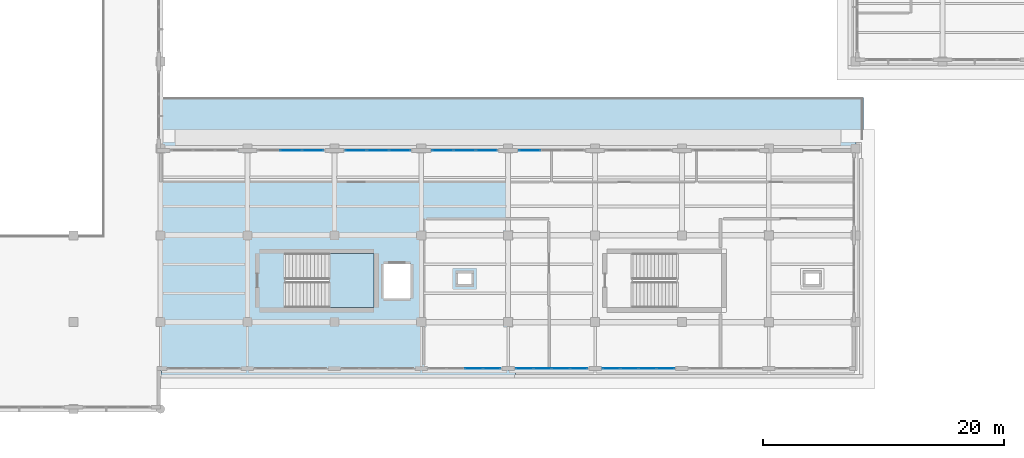
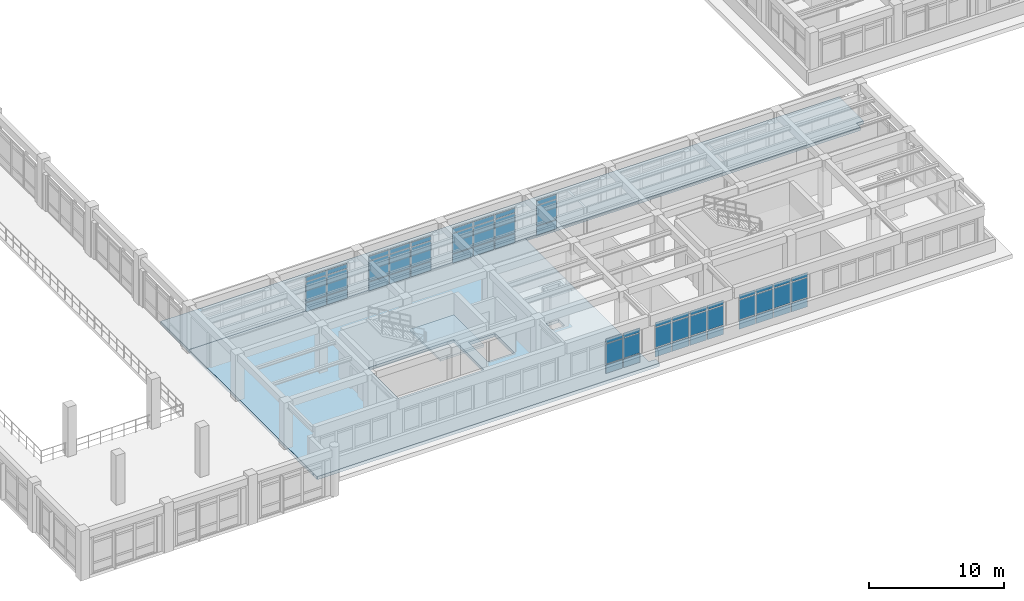
# One storey, part 34 of 64: 57 plates, 3 slabs, 8 elements without a shape of their own.
"""IFC4 building model written with IfcOpenShell, lengths in metres."""

from ifc_helpers import new_model, si_unit, direction, frame, origin, origin_2d, place, context, subcontext, project, spatial, polyline, rectangle, outline, extrude, material, layer, layer_set, type_object, element, aggregate, save


model = new_model("IFC4")

# Units and contexts
model_context = context("Model", 3, precision=1e-05, world=origin(), true_north=direction((0.0, 1.0)))
body_context = subcontext(model_context, "Body", "Model", "MODEL_VIEW")
ifc_project = project(units=[si_unit("LENGTHUNIT", "METRE"), si_unit("AREAUNIT", "SQUARE_METRE"), si_unit("VOLUMEUNIT", "CUBIC_METRE"), si_unit("PLANEANGLEUNIT", "RADIAN"), si_unit("MASSUNIT", "GRAM", prefix="KILO")], contexts=[model_context])

# Site, building, storey
site_placement = place(None, origin())
site = spatial("IfcSite", under=ifc_project, at=site_placement, CompositionType="ELEMENT")
building_placement = place(site_placement, origin())
building = spatial("IfcBuilding", under=site, at=building_placement, Name="Solenvale Faculty of Natural Sciences", CompositionType="ELEMENT")
storey_placement = place(building_placement, frame((0.0, 0.0, 18.0)))
storey = spatial("IfcBuildingStorey", under=building, at=storey_placement, Name="L04", CompositionType="ELEMENT", Elevation=18.0)

# Curtain wall, plates
ifc_material_1 = material(Name="Anodised bronze aluminium", Category="aluminium")
ifc_layer_1 = layer(ifc_material_1, 0.18994140625)
ifc_layer_set_1 = layer_set([ifc_layer_1], Name="Anodised bronze aluminium")
curtain_wall_type = type_object("IfcCurtainWallType", Name="CW-TRAY-REC", PredefinedType="USERDEFINED", material=ifc_layer_set_1)
curtain_wall_1_placement = place(storey_placement, origin())
curtain_wall_1 = element("IfcCurtainWall", 1, at=curtain_wall_1_placement, inside=storey, type_object=curtain_wall_type, Name="L04 Curtain Wall CW-L04-P1-E6-B5", ObjectType="UNITISED CURTAIN WALL", PredefinedType="USERDEFINED")
ifc_material_2 = material(Name="North-light skylight glass", Category="glass")
ifc_layer_2 = layer(ifc_material_2, 0.028076171875)
ifc_layer_set_2 = layer_set([ifc_layer_2], Name="North-light skylight glass")
plate_type_1 = type_object("IfcPlateType", Name="CWP-PNL-28", PredefinedType="CURTAIN_PANEL", material=ifc_layer_set_2)
plate_1_placement = place(storey_placement, frame((87.753662109375, 17.762451171875, 0.074951171875), z_axis=(0.0, 0.0, 1.0), x_axis=(1.0, 0.0, 0.0)))
plate_1 = element("IfcPlate", 2, at=plate_1_placement, type_object=plate_type_1, Name="CW-02 panel 1.1", PredefinedType="CURTAIN_PANEL", context=body_context, shape_type="SweptSolid", body=[
    extrude(rectangle(XDim=1.3974609375, YDim=0.028076171875, at=origin_2d()), origin(), (0.0, 0.0, 1.0), 0.78759765625),
])
plate_2_placement = place(storey_placement, frame((87.753662109375, 17.762451171875, 0.9375), z_axis=(0.0, 0.0, 1.0), x_axis=(1.0, 0.0, 0.0)))
plate_2 = element("IfcPlate", 3, at=plate_2_placement, type_object=plate_type_1, Name="CW-02 panel 1.2", PredefinedType="CURTAIN_PANEL", context=body_context, shape_type="SweptSolid", body=[
    extrude(rectangle(XDim=1.3974609375, YDim=0.028076171875, at=origin_2d()), origin(), (0.0, 0.0, 1.0), 1.784912109375),
])
plate_3_placement = place(storey_placement, frame((87.753662109375, 17.762451171875, 2.79736328125), z_axis=(0.0, 0.0, 1.0), x_axis=(1.0, 0.0, 0.0)))
plate_3 = element("IfcPlate", 4, at=plate_3_placement, type_object=plate_type_1, Name="CW-02 panel 1.3", PredefinedType="CURTAIN_PANEL", context=body_context, shape_type="SweptSolid", body=[
    extrude(rectangle(XDim=1.3974609375, YDim=0.028076171875, at=origin_2d()), origin(), (0.0, 0.0, 1.0), 0.387451171875),
])
plate_4_placement = place(storey_placement, frame((89.2451171875, 17.762451171875, 0.074951171875), z_axis=(0.0, 0.0, 1.0), x_axis=(1.0, 0.0, 0.0)))
plate_4 = element("IfcPlate", 5, at=plate_4_placement, type_object=plate_type_1, Name="CW-02 panel 2.1", PredefinedType="CURTAIN_PANEL", context=body_context, shape_type="SweptSolid", body=[
    extrude(rectangle(XDim=1.43505859375, YDim=0.028076171875, at=origin_2d()), origin(), (0.0, 0.0, 1.0), 0.78759765625),
])
plate_5_placement = place(storey_placement, frame((89.2451171875, 17.762451171875, 0.9375), z_axis=(0.0, 0.0, 1.0), x_axis=(1.0, 0.0, 0.0)))
plate_5 = element("IfcPlate", 6, at=plate_5_placement, type_object=plate_type_1, Name="CW-02 panel 2.2", PredefinedType="CURTAIN_PANEL", context=body_context, shape_type="SweptSolid", body=[
    extrude(rectangle(XDim=1.43505859375, YDim=0.028076171875, at=origin_2d()), origin(), (0.0, 0.0, 1.0), 1.784912109375),
])
plate_6_placement = place(storey_placement, frame((89.2451171875, 17.762451171875, 2.79736328125), z_axis=(0.0, 0.0, 1.0), x_axis=(1.0, 0.0, 0.0)))
plate_6 = element("IfcPlate", 7, at=plate_6_placement, type_object=plate_type_1, Name="CW-02 panel 2.3", PredefinedType="CURTAIN_PANEL", context=body_context, shape_type="SweptSolid", body=[
    extrude(rectangle(XDim=1.43505859375, YDim=0.028076171875, at=origin_2d()), origin(), (0.0, 0.0, 1.0), 0.387451171875),
])
plate_7_placement = place(storey_placement, frame((90.7548828125, 17.762451171875, 0.074951171875), z_axis=(0.0, 0.0, 1.0), x_axis=(1.0, 0.0, 0.0)))
plate_7 = element("IfcPlate", 8, at=plate_7_placement, type_object=plate_type_1, Name="CW-02 panel 3.1", PredefinedType="CURTAIN_PANEL", context=body_context, shape_type="SweptSolid", body=[
    extrude(rectangle(XDim=1.43505859375, YDim=0.028076171875, at=origin_2d()), origin(), (0.0, 0.0, 1.0), 0.78759765625),
])
plate_8_placement = place(storey_placement, frame((90.7548828125, 17.762451171875, 0.9375), z_axis=(0.0, 0.0, 1.0), x_axis=(1.0, 0.0, 0.0)))
plate_8 = element("IfcPlate", 9, at=plate_8_placement, type_object=plate_type_1, Name="CW-02 panel 3.2", PredefinedType="CURTAIN_PANEL", context=body_context, shape_type="SweptSolid", body=[
    extrude(rectangle(XDim=1.43505859375, YDim=0.028076171875, at=origin_2d()), origin(), (0.0, 0.0, 1.0), 1.784912109375),
])
plate_9_placement = place(storey_placement, frame((90.7548828125, 17.762451171875, 2.79736328125), z_axis=(0.0, 0.0, 1.0), x_axis=(1.0, 0.0, 0.0)))
plate_9 = element("IfcPlate", 10, at=plate_9_placement, type_object=plate_type_1, Name="CW-02 panel 3.3", PredefinedType="CURTAIN_PANEL", context=body_context, shape_type="SweptSolid", body=[
    extrude(rectangle(XDim=1.43505859375, YDim=0.028076171875, at=origin_2d()), origin(), (0.0, 0.0, 1.0), 0.387451171875),
])
plate_10_placement = place(storey_placement, frame((92.246337890625, 17.762451171875, 0.074951171875), z_axis=(0.0, 0.0, 1.0), x_axis=(1.0, 0.0, 0.0)))
plate_10 = element("IfcPlate", 11, at=plate_10_placement, type_object=plate_type_1, Name="CW-02 panel 4.1", PredefinedType="CURTAIN_PANEL", context=body_context, shape_type="SweptSolid", body=[
    extrude(rectangle(XDim=1.3974609375, YDim=0.028076171875, at=origin_2d()), origin(), (0.0, 0.0, 1.0), 0.78759765625),
])
plate_11_placement = place(storey_placement, frame((92.246337890625, 17.762451171875, 0.9375), z_axis=(0.0, 0.0, 1.0), x_axis=(1.0, 0.0, 0.0)))
plate_11 = element("IfcPlate", 12, at=plate_11_placement, type_object=plate_type_1, Name="CW-02 panel 4.2", PredefinedType="CURTAIN_PANEL", context=body_context, shape_type="SweptSolid", body=[
    extrude(rectangle(XDim=1.3974609375, YDim=0.028076171875, at=origin_2d()), origin(), (0.0, 0.0, 1.0), 1.784912109375),
])
plate_12_placement = place(storey_placement, frame((92.246337890625, 17.762451171875, 2.79736328125), z_axis=(0.0, 0.0, 1.0), x_axis=(1.0, 0.0, 0.0)))
plate_12 = element("IfcPlate", 13, at=plate_12_placement, type_object=plate_type_1, Name="CW-02 panel 4.3", PredefinedType="CURTAIN_PANEL", context=body_context, shape_type="SweptSolid", body=[
    extrude(rectangle(XDim=1.3974609375, YDim=0.028076171875, at=origin_2d()), origin(), (0.0, 0.0, 1.0), 0.387451171875),
])
aggregate(curtain_wall_1, [plate_1, plate_2, plate_3, plate_4, plate_5, plate_6, plate_7, plate_8, plate_9, plate_10, plate_11, plate_12])

curtain_wall_2_placement = place(storey_placement, origin())
curtain_wall_2 = element("IfcCurtainWall", 14, at=curtain_wall_2_placement, inside=storey, type_object=curtain_wall_type, Name="L04 Curtain Wall CW-L04-P1-E6-B6", ObjectType="UNITISED CURTAIN WALL", PredefinedType="USERDEFINED")
ifc_material_3 = material(Name="Triple low-E insulated glass", Category="glass")
ifc_layer_3 = layer(ifc_material_3, 0.031982421875)
ifc_layer_set_3 = layer_set([ifc_layer_3], Name="Triple low-E insulated glass")
plate_type_2 = type_object("IfcPlateType", Name="CWP-PNL-32", PredefinedType="CURTAIN_PANEL", material=ifc_layer_set_3)
plate_13_placement = place(storey_placement, frame((94.953857421875, 17.762451171875, 0.074951171875), z_axis=(0.0, 0.0, 1.0), x_axis=(1.0, 0.0, 0.0)))
plate_13 = element("IfcPlate", 15, at=plate_13_placement, type_object=plate_type_2, Name="CW-02 panel 1.1", PredefinedType="CURTAIN_PANEL", context=body_context, shape_type="SweptSolid", body=[
    extrude(rectangle(XDim=1.3974609375, YDim=0.031982421875, at=origin_2d()), origin(), (0.0, 0.0, 1.0), 0.78759765625),
])
plate_14_placement = place(storey_placement, frame((94.953857421875, 17.762451171875, 0.9375), z_axis=(0.0, 0.0, 1.0), x_axis=(1.0, 0.0, 0.0)))
plate_14 = element("IfcPlate", 16, at=plate_14_placement, type_object=plate_type_2, Name="CW-02 panel 1.2", PredefinedType="CURTAIN_PANEL", context=body_context, shape_type="SweptSolid", body=[
    extrude(rectangle(XDim=1.3974609375, YDim=0.031982421875, at=origin_2d()), origin(), (0.0, 0.0, 1.0), 1.784912109375),
])
plate_15_placement = place(storey_placement, frame((94.953857421875, 17.762451171875, 2.79736328125), z_axis=(0.0, 0.0, 1.0), x_axis=(1.0, 0.0, 0.0)))
plate_15 = element("IfcPlate", 17, at=plate_15_placement, type_object=plate_type_2, Name="CW-02 panel 1.3", PredefinedType="CURTAIN_PANEL", context=body_context, shape_type="SweptSolid", body=[
    extrude(rectangle(XDim=1.3974609375, YDim=0.031982421875, at=origin_2d()), origin(), (0.0, 0.0, 1.0), 0.387451171875),
])
plate_16_placement = place(storey_placement, frame((96.445068359375, 17.762451171875, 0.074951171875), z_axis=(0.0, 0.0, 1.0), x_axis=(1.0, 0.0, 0.0)))
plate_16 = element("IfcPlate", 18, at=plate_16_placement, type_object=plate_type_2, Name="CW-02 panel 2.1", PredefinedType="CURTAIN_PANEL", context=body_context, shape_type="SweptSolid", body=[
    extrude(rectangle(XDim=1.43505859375, YDim=0.031982421875, at=origin_2d()), origin(), (0.0, 0.0, 1.0), 0.78759765625),
])
plate_17_placement = place(storey_placement, frame((96.445068359375, 17.762451171875, 0.9375), z_axis=(0.0, 0.0, 1.0), x_axis=(1.0, 0.0, 0.0)))
plate_17 = element("IfcPlate", 19, at=plate_17_placement, type_object=plate_type_2, Name="CW-02 panel 2.2", PredefinedType="CURTAIN_PANEL", context=body_context, shape_type="SweptSolid", body=[
    extrude(rectangle(XDim=1.43505859375, YDim=0.031982421875, at=origin_2d()), origin(), (0.0, 0.0, 1.0), 1.784912109375),
])
plate_18_placement = place(storey_placement, frame((96.445068359375, 17.762451171875, 2.79736328125), z_axis=(0.0, 0.0, 1.0), x_axis=(1.0, 0.0, 0.0)))
plate_18 = element("IfcPlate", 20, at=plate_18_placement, type_object=plate_type_2, Name="CW-02 panel 2.3", PredefinedType="CURTAIN_PANEL", context=body_context, shape_type="SweptSolid", body=[
    extrude(rectangle(XDim=1.43505859375, YDim=0.031982421875, at=origin_2d()), origin(), (0.0, 0.0, 1.0), 0.387451171875),
])
plate_19_placement = place(storey_placement, frame((97.955078125, 17.762451171875, 0.074951171875), z_axis=(0.0, 0.0, 1.0), x_axis=(1.0, 0.0, 0.0)))
plate_19 = element("IfcPlate", 21, at=plate_19_placement, type_object=plate_type_2, Name="CW-02 panel 3.1", PredefinedType="CURTAIN_PANEL", context=body_context, shape_type="SweptSolid", body=[
    extrude(rectangle(XDim=1.43505859375, YDim=0.031982421875, at=origin_2d()), origin(), (0.0, 0.0, 1.0), 0.78759765625),
])
plate_20_placement = place(storey_placement, frame((97.955078125, 17.762451171875, 0.9375), z_axis=(0.0, 0.0, 1.0), x_axis=(1.0, 0.0, 0.0)))
plate_20 = element("IfcPlate", 22, at=plate_20_placement, type_object=plate_type_2, Name="CW-02 panel 3.2", PredefinedType="CURTAIN_PANEL", context=body_context, shape_type="SweptSolid", body=[
    extrude(rectangle(XDim=1.43505859375, YDim=0.031982421875, at=origin_2d()), origin(), (0.0, 0.0, 1.0), 1.784912109375),
])
plate_21_placement = place(storey_placement, frame((97.955078125, 17.762451171875, 2.79736328125), z_axis=(0.0, 0.0, 1.0), x_axis=(1.0, 0.0, 0.0)))
plate_21 = element("IfcPlate", 23, at=plate_21_placement, type_object=plate_type_2, Name="CW-02 panel 3.3", PredefinedType="CURTAIN_PANEL", context=body_context, shape_type="SweptSolid", body=[
    extrude(rectangle(XDim=1.43505859375, YDim=0.031982421875, at=origin_2d()), origin(), (0.0, 0.0, 1.0), 0.387451171875),
])
plate_22_placement = place(storey_placement, frame((99.4462890625, 17.762451171875, 0.074951171875), z_axis=(0.0, 0.0, 1.0), x_axis=(1.0, 0.0, 0.0)))
plate_22 = element("IfcPlate", 24, at=plate_22_placement, type_object=plate_type_2, Name="CW-02 panel 4.1", PredefinedType="CURTAIN_PANEL", context=body_context, shape_type="SweptSolid", body=[
    extrude(rectangle(XDim=1.3974609375, YDim=0.031982421875, at=origin_2d()), origin(), (0.0, 0.0, 1.0), 0.78759765625),
])
plate_23_placement = place(storey_placement, frame((99.4462890625, 17.762451171875, 0.9375), z_axis=(0.0, 0.0, 1.0), x_axis=(1.0, 0.0, 0.0)))
plate_23 = element("IfcPlate", 25, at=plate_23_placement, type_object=plate_type_2, Name="CW-02 panel 4.2", PredefinedType="CURTAIN_PANEL", context=body_context, shape_type="SweptSolid", body=[
    extrude(rectangle(XDim=1.3974609375, YDim=0.031982421875, at=origin_2d()), origin(), (0.0, 0.0, 1.0), 1.784912109375),
])
plate_24_placement = place(storey_placement, frame((99.4462890625, 17.762451171875, 2.79736328125), z_axis=(0.0, 0.0, 1.0), x_axis=(1.0, 0.0, 0.0)))
plate_24 = element("IfcPlate", 26, at=plate_24_placement, type_object=plate_type_2, Name="CW-02 panel 4.3", PredefinedType="CURTAIN_PANEL", context=body_context, shape_type="SweptSolid", body=[
    extrude(rectangle(XDim=1.3974609375, YDim=0.031982421875, at=origin_2d()), origin(), (0.0, 0.0, 1.0), 0.387451171875),
])
aggregate(curtain_wall_2, [plate_13, plate_14, plate_15, plate_16, plate_17, plate_18, plate_19, plate_20, plate_21, plate_22, plate_23, plate_24])

curtain_wall_3_placement = place(storey_placement, origin())
curtain_wall_3 = element("IfcCurtainWall", 27, at=curtain_wall_3_placement, inside=storey, type_object=curtain_wall_type, Name="L04 Curtain Wall CW-L04-P1-E8-B4", ObjectType="UNITISED CURTAIN WALL", PredefinedType="USERDEFINED")
plate_25_placement = place(storey_placement, frame((88.185302734375, 35.83740234375, 0.074951171875), z_axis=(0.0, 0.0, 1.0), x_axis=(-1.0, 0.0, 0.0)))
plate_25 = element("IfcPlate", 28, at=plate_25_placement, type_object=plate_type_2, Name="CW-02 panel 3.1", PredefinedType="CURTAIN_PANEL", context=body_context, shape_type="SweptSolid", body=[
    extrude(rectangle(XDim=1.720947265625, YDim=0.031982421875, at=origin_2d()), origin(), (0.0, 0.0, 1.0), 0.78759765625),
])
plate_26_placement = place(storey_placement, frame((88.185302734375, 35.83740234375, 0.9375), z_axis=(0.0, 0.0, 1.0), x_axis=(-1.0, 0.0, 0.0)))
plate_26 = element("IfcPlate", 29, at=plate_26_placement, type_object=plate_type_2, Name="CW-02 panel 3.2", PredefinedType="CURTAIN_PANEL", context=body_context, shape_type="SweptSolid", body=[
    extrude(rectangle(XDim=1.720947265625, YDim=0.031982421875, at=origin_2d()), origin(), (0.0, 0.0, 1.0), 1.784912109375),
])
plate_27_placement = place(storey_placement, frame((88.185302734375, 35.83740234375, 2.79736328125), z_axis=(0.0, 0.0, 1.0), x_axis=(-1.0, 0.0, 0.0)))
plate_27 = element("IfcPlate", 30, at=plate_27_placement, type_object=plate_type_2, Name="CW-02 panel 3.3", PredefinedType="CURTAIN_PANEL", context=body_context, shape_type="SweptSolid", body=[
    extrude(rectangle(XDim=1.720947265625, YDim=0.031982421875, at=origin_2d()), origin(), (0.0, 0.0, 1.0), 0.387451171875),
])
aggregate(curtain_wall_3, [plate_25, plate_26, plate_27])

curtain_wall_4_placement = place(storey_placement, origin())
curtain_wall_4 = element("IfcCurtainWall", 31, at=curtain_wall_4_placement, inside=storey, type_object=curtain_wall_type, Name="L04 Curtain Wall CW-L04-P1-E8-B5", ObjectType="UNITISED CURTAIN WALL", PredefinedType="USERDEFINED")
ifc_layer_4 = layer(ifc_material_3, 0.035888671875)
ifc_layer_set_4 = layer_set([ifc_layer_4], Name="Triple low-E insulated glass")
plate_type_3 = type_object("IfcPlateType", Name="CWP-PNL-36", PredefinedType="CURTAIN_PANEL", material=ifc_layer_set_4)
plate_28_placement = place(storey_placement, frame((84.614501953125, 35.83740234375, 0.074951171875), z_axis=(0.0, 0.0, 1.0), x_axis=(-1.0, 0.0, 0.0)))
plate_28 = element("IfcPlate", 32, at=plate_28_placement, type_object=plate_type_3, Name="CW-02 panel 1.1", PredefinedType="CURTAIN_PANEL", context=body_context, shape_type="SweptSolid", body=[
    extrude(rectangle(XDim=1.720947265625, YDim=0.035888671875, at=origin_2d()), origin(), (0.0, 0.0, 1.0), 0.78759765625),
])
plate_29_placement = place(storey_placement, frame((84.614501953125, 35.83740234375, 0.9375), z_axis=(0.0, 0.0, 1.0), x_axis=(-1.0, 0.0, 0.0)))
plate_29 = element("IfcPlate", 33, at=plate_29_placement, type_object=plate_type_3, Name="CW-02 panel 1.2", PredefinedType="CURTAIN_PANEL", context=body_context, shape_type="SweptSolid", body=[
    extrude(rectangle(XDim=1.720947265625, YDim=0.035888671875, at=origin_2d()), origin(), (0.0, 0.0, 1.0), 1.784912109375),
])
plate_30_placement = place(storey_placement, frame((84.614501953125, 35.83740234375, 2.79736328125), z_axis=(0.0, 0.0, 1.0), x_axis=(-1.0, 0.0, 0.0)))
plate_30 = element("IfcPlate", 34, at=plate_30_placement, type_object=plate_type_3, Name="CW-02 panel 1.3", PredefinedType="CURTAIN_PANEL", context=body_context, shape_type="SweptSolid", body=[
    extrude(rectangle(XDim=1.720947265625, YDim=0.035888671875, at=origin_2d()), origin(), (0.0, 0.0, 1.0), 0.387451171875),
])
plate_31_placement = place(storey_placement, frame((82.800048828125, 35.83740234375, 0.074951171875), z_axis=(0.0, 0.0, 1.0), x_axis=(-1.0, 0.0, 0.0)))
plate_31 = element("IfcPlate", 35, at=plate_31_placement, type_object=plate_type_3, Name="CW-02 panel 2.1", PredefinedType="CURTAIN_PANEL", context=body_context, shape_type="SweptSolid", body=[
    extrude(rectangle(XDim=1.75830078125, YDim=0.035888671875, at=origin_2d()), origin(), (0.0, 0.0, 1.0), 0.78759765625),
])
plate_32_placement = place(storey_placement, frame((82.800048828125, 35.83740234375, 0.9375), z_axis=(0.0, 0.0, 1.0), x_axis=(-1.0, 0.0, 0.0)))
plate_32 = element("IfcPlate", 36, at=plate_32_placement, type_object=plate_type_3, Name="CW-02 panel 2.2", PredefinedType="CURTAIN_PANEL", context=body_context, shape_type="SweptSolid", body=[
    extrude(rectangle(XDim=1.75830078125, YDim=0.035888671875, at=origin_2d()), origin(), (0.0, 0.0, 1.0), 1.784912109375),
])
plate_33_placement = place(storey_placement, frame((82.800048828125, 35.83740234375, 2.79736328125), z_axis=(0.0, 0.0, 1.0), x_axis=(-1.0, 0.0, 0.0)))
plate_33 = element("IfcPlate", 37, at=plate_33_placement, type_object=plate_type_3, Name="CW-02 panel 2.3", PredefinedType="CURTAIN_PANEL", context=body_context, shape_type="SweptSolid", body=[
    extrude(rectangle(XDim=1.75830078125, YDim=0.035888671875, at=origin_2d()), origin(), (0.0, 0.0, 1.0), 0.387451171875),
])
plate_34_placement = place(storey_placement, frame((80.9853515625, 35.83740234375, 0.074951171875), z_axis=(0.0, 0.0, 1.0), x_axis=(-1.0, 0.0, 0.0)))
plate_34 = element("IfcPlate", 38, at=plate_34_placement, type_object=plate_type_3, Name="CW-02 panel 3.1", PredefinedType="CURTAIN_PANEL", context=body_context, shape_type="SweptSolid", body=[
    extrude(rectangle(XDim=1.720947265625, YDim=0.035888671875, at=origin_2d()), origin(), (0.0, 0.0, 1.0), 0.78759765625),
])
plate_35_placement = place(storey_placement, frame((80.9853515625, 35.83740234375, 0.9375), z_axis=(0.0, 0.0, 1.0), x_axis=(-1.0, 0.0, 0.0)))
plate_35 = element("IfcPlate", 39, at=plate_35_placement, type_object=plate_type_3, Name="CW-02 panel 3.2", PredefinedType="CURTAIN_PANEL", context=body_context, shape_type="SweptSolid", body=[
    extrude(rectangle(XDim=1.720947265625, YDim=0.035888671875, at=origin_2d()), origin(), (0.0, 0.0, 1.0), 1.784912109375),
])
plate_36_placement = place(storey_placement, frame((80.9853515625, 35.83740234375, 2.79736328125), z_axis=(0.0, 0.0, 1.0), x_axis=(-1.0, 0.0, 0.0)))
plate_36 = element("IfcPlate", 40, at=plate_36_placement, type_object=plate_type_3, Name="CW-02 panel 3.3", PredefinedType="CURTAIN_PANEL", context=body_context, shape_type="SweptSolid", body=[
    extrude(rectangle(XDim=1.720947265625, YDim=0.035888671875, at=origin_2d()), origin(), (0.0, 0.0, 1.0), 0.387451171875),
])
aggregate(curtain_wall_4, [plate_28, plate_29, plate_30, plate_31, plate_32, plate_33, plate_34, plate_35, plate_36])

curtain_wall_5_placement = place(storey_placement, origin())
curtain_wall_5 = element("IfcCurtainWall", 41, at=curtain_wall_5_placement, inside=storey, type_object=curtain_wall_type, Name="L04 Curtain Wall CW-L04-P1-E8-B6", ObjectType="UNITISED CURTAIN WALL", PredefinedType="USERDEFINED")
ifc_layer_5 = layer(ifc_material_3, 0.0400390625)
ifc_layer_set_5 = layer_set([ifc_layer_5], Name="Triple low-E insulated glass")
plate_type_4 = type_object("IfcPlateType", Name="CWP-PNL-40", PredefinedType="CURTAIN_PANEL", material=ifc_layer_set_5)
plate_37_placement = place(storey_placement, frame((77.41455078125, 35.83740234375, 0.074951171875), z_axis=(0.0, 0.0, 1.0), x_axis=(-1.0, 0.0, 0.0)))
plate_37 = element("IfcPlate", 42, at=plate_37_placement, type_object=plate_type_4, Name="CW-02 panel 1.1", PredefinedType="CURTAIN_PANEL", context=body_context, shape_type="SweptSolid", body=[
    extrude(rectangle(XDim=1.720947265625, YDim=0.0400390625, at=origin_2d()), origin(), (0.0, 0.0, 1.0), 0.78759765625),
])
plate_38_placement = place(storey_placement, frame((77.41455078125, 35.83740234375, 0.9375), z_axis=(0.0, 0.0, 1.0), x_axis=(-1.0, 0.0, 0.0)))
plate_38 = element("IfcPlate", 43, at=plate_38_placement, type_object=plate_type_4, Name="CW-02 panel 1.2", PredefinedType="CURTAIN_PANEL", context=body_context, shape_type="SweptSolid", body=[
    extrude(rectangle(XDim=1.720947265625, YDim=0.0400390625, at=origin_2d()), origin(), (0.0, 0.0, 1.0), 1.784912109375),
])
plate_39_placement = place(storey_placement, frame((77.41455078125, 35.83740234375, 2.79736328125), z_axis=(0.0, 0.0, 1.0), x_axis=(-1.0, 0.0, 0.0)))
plate_39 = element("IfcPlate", 44, at=plate_39_placement, type_object=plate_type_4, Name="CW-02 panel 1.3", PredefinedType="CURTAIN_PANEL", context=body_context, shape_type="SweptSolid", body=[
    extrude(rectangle(XDim=1.720947265625, YDim=0.0400390625, at=origin_2d()), origin(), (0.0, 0.0, 1.0), 0.387451171875),
])
plate_40_placement = place(storey_placement, frame((75.60009765625, 35.83740234375, 0.074951171875), z_axis=(0.0, 0.0, 1.0), x_axis=(-1.0, 0.0, 0.0)))
plate_40 = element("IfcPlate", 45, at=plate_40_placement, type_object=plate_type_4, Name="CW-02 panel 2.1", PredefinedType="CURTAIN_PANEL", context=body_context, shape_type="SweptSolid", body=[
    extrude(rectangle(XDim=1.75830078125, YDim=0.0400390625, at=origin_2d()), origin(), (0.0, 0.0, 1.0), 0.78759765625),
])
plate_41_placement = place(storey_placement, frame((75.60009765625, 35.83740234375, 0.9375), z_axis=(0.0, 0.0, 1.0), x_axis=(-1.0, 0.0, 0.0)))
plate_41 = element("IfcPlate", 46, at=plate_41_placement, type_object=plate_type_4, Name="CW-02 panel 2.2", PredefinedType="CURTAIN_PANEL", context=body_context, shape_type="SweptSolid", body=[
    extrude(rectangle(XDim=1.75830078125, YDim=0.0400390625, at=origin_2d()), origin(), (0.0, 0.0, 1.0), 1.784912109375),
])
plate_42_placement = place(storey_placement, frame((75.60009765625, 35.83740234375, 2.79736328125), z_axis=(0.0, 0.0, 1.0), x_axis=(-1.0, 0.0, 0.0)))
plate_42 = element("IfcPlate", 47, at=plate_42_placement, type_object=plate_type_4, Name="CW-02 panel 2.3", PredefinedType="CURTAIN_PANEL", context=body_context, shape_type="SweptSolid", body=[
    extrude(rectangle(XDim=1.75830078125, YDim=0.0400390625, at=origin_2d()), origin(), (0.0, 0.0, 1.0), 0.387451171875),
])
plate_43_placement = place(storey_placement, frame((73.785400390625, 35.83740234375, 0.074951171875), z_axis=(0.0, 0.0, 1.0), x_axis=(-1.0, 0.0, 0.0)))
plate_43 = element("IfcPlate", 48, at=plate_43_placement, type_object=plate_type_4, Name="CW-02 panel 3.1", PredefinedType="CURTAIN_PANEL", context=body_context, shape_type="SweptSolid", body=[
    extrude(rectangle(XDim=1.720947265625, YDim=0.0400390625, at=origin_2d()), origin(), (0.0, 0.0, 1.0), 0.78759765625),
])
plate_44_placement = place(storey_placement, frame((73.785400390625, 35.83740234375, 0.9375), z_axis=(0.0, 0.0, 1.0), x_axis=(-1.0, 0.0, 0.0)))
plate_44 = element("IfcPlate", 49, at=plate_44_placement, type_object=plate_type_4, Name="CW-02 panel 3.2", PredefinedType="CURTAIN_PANEL", context=body_context, shape_type="SweptSolid", body=[
    extrude(rectangle(XDim=1.720947265625, YDim=0.0400390625, at=origin_2d()), origin(), (0.0, 0.0, 1.0), 1.784912109375),
])
plate_45_placement = place(storey_placement, frame((73.785400390625, 35.83740234375, 2.79736328125), z_axis=(0.0, 0.0, 1.0), x_axis=(-1.0, 0.0, 0.0)))
plate_45 = element("IfcPlate", 50, at=plate_45_placement, type_object=plate_type_4, Name="CW-02 panel 3.3", PredefinedType="CURTAIN_PANEL", context=body_context, shape_type="SweptSolid", body=[
    extrude(rectangle(XDim=1.720947265625, YDim=0.0400390625, at=origin_2d()), origin(), (0.0, 0.0, 1.0), 0.387451171875),
])
aggregate(curtain_wall_5, [plate_37, plate_38, plate_39, plate_40, plate_41, plate_42, plate_43, plate_44, plate_45])

curtain_wall_6_placement = place(storey_placement, origin())
curtain_wall_6 = element("IfcCurtainWall", 51, at=curtain_wall_6_placement, inside=storey, type_object=curtain_wall_type, Name="L04 Curtain Wall CW-L04-P1-E8-B7", ObjectType="UNITISED CURTAIN WALL", PredefinedType="USERDEFINED")
ifc_layer_6 = layer(ifc_material_3, 0.0439453125)
ifc_layer_set_6 = layer_set([ifc_layer_6], Name="Triple low-E insulated glass")
plate_type_5 = type_object("IfcPlateType", Name="CWP-PNL-44", PredefinedType="CURTAIN_PANEL", material=ifc_layer_set_6)
plate_46_placement = place(storey_placement, frame((70.214599609375, 35.83740234375, 0.074951171875), z_axis=(0.0, 0.0, 1.0), x_axis=(-1.0, 0.0, 0.0)))
plate_46 = element("IfcPlate", 52, at=plate_46_placement, type_object=plate_type_5, Name="CW-02 panel 1.1", PredefinedType="CURTAIN_PANEL", context=body_context, shape_type="SweptSolid", body=[
    extrude(rectangle(XDim=1.720947265625, YDim=0.0439453125, at=origin_2d()), origin(), (0.0, 0.0, 1.0), 0.78759765625),
])
plate_47_placement = place(storey_placement, frame((70.214599609375, 35.83740234375, 0.9375), z_axis=(0.0, 0.0, 1.0), x_axis=(-1.0, 0.0, 0.0)))
plate_47 = element("IfcPlate", 53, at=plate_47_placement, type_object=plate_type_5, Name="CW-02 panel 1.2", PredefinedType="CURTAIN_PANEL", context=body_context, shape_type="SweptSolid", body=[
    extrude(rectangle(XDim=1.720947265625, YDim=0.0439453125, at=origin_2d()), origin(), (0.0, 0.0, 1.0), 1.784912109375),
])
plate_48_placement = place(storey_placement, frame((70.214599609375, 35.83740234375, 2.79736328125), z_axis=(0.0, 0.0, 1.0), x_axis=(-1.0, 0.0, 0.0)))
plate_48 = element("IfcPlate", 54, at=plate_48_placement, type_object=plate_type_5, Name="CW-02 panel 1.3", PredefinedType="CURTAIN_PANEL", context=body_context, shape_type="SweptSolid", body=[
    extrude(rectangle(XDim=1.720947265625, YDim=0.0439453125, at=origin_2d()), origin(), (0.0, 0.0, 1.0), 0.387451171875),
])
plate_49_placement = place(storey_placement, frame((68.39990234375, 35.83740234375, 0.074951171875), z_axis=(0.0, 0.0, 1.0), x_axis=(-1.0, 0.0, 0.0)))
plate_49 = element("IfcPlate", 55, at=plate_49_placement, type_object=plate_type_5, Name="CW-02 panel 2.1", PredefinedType="CURTAIN_PANEL", context=body_context, shape_type="SweptSolid", body=[
    extrude(rectangle(XDim=1.75830078125, YDim=0.0439453125, at=origin_2d()), origin(), (0.0, 0.0, 1.0), 0.78759765625),
])
plate_50_placement = place(storey_placement, frame((68.39990234375, 35.83740234375, 0.9375), z_axis=(0.0, 0.0, 1.0), x_axis=(-1.0, 0.0, 0.0)))
plate_50 = element("IfcPlate", 56, at=plate_50_placement, type_object=plate_type_5, Name="CW-02 panel 2.2", PredefinedType="CURTAIN_PANEL", context=body_context, shape_type="SweptSolid", body=[
    extrude(rectangle(XDim=1.75830078125, YDim=0.0439453125, at=origin_2d()), origin(), (0.0, 0.0, 1.0), 1.784912109375),
])
plate_51_placement = place(storey_placement, frame((68.39990234375, 35.83740234375, 2.79736328125), z_axis=(0.0, 0.0, 1.0), x_axis=(-1.0, 0.0, 0.0)))
plate_51 = element("IfcPlate", 57, at=plate_51_placement, type_object=plate_type_5, Name="CW-02 panel 2.3", PredefinedType="CURTAIN_PANEL", context=body_context, shape_type="SweptSolid", body=[
    extrude(rectangle(XDim=1.75830078125, YDim=0.0439453125, at=origin_2d()), origin(), (0.0, 0.0, 1.0), 0.387451171875),
])
aggregate(curtain_wall_6, [plate_46, plate_47, plate_48, plate_49, plate_50, plate_51])

curtain_wall_7_placement = place(storey_placement, origin())
curtain_wall_7 = element("IfcCurtainWall", 58, at=curtain_wall_7_placement, inside=storey, type_object=curtain_wall_type, Name="L04 Curtain Wall CW-L04-P1-E6-B4", ObjectType="UNITISED CURTAIN WALL", PredefinedType="USERDEFINED")
ifc_layer_7 = layer(ifc_material_1, 0.06005859375)
ifc_layer_set_7 = layer_set([ifc_layer_7], Name="Anodised bronze aluminium")
plate_type_6 = type_object("IfcPlateType", Name="CWP-PNL-60", PredefinedType="CURTAIN_PANEL", material=ifc_layer_set_7)
plate_52_placement = place(storey_placement, frame((83.554931640625, 17.762451171875, 0.074951171875), z_axis=(0.0, 0.0, 1.0), x_axis=(1.0, 0.0, 0.0)))
plate_52 = element("IfcPlate", 59, at=plate_52_placement, type_object=plate_type_6, Name="CW-02 panel 3.1", PredefinedType="CURTAIN_PANEL", context=body_context, shape_type="SweptSolid", body=[
    extrude(rectangle(XDim=1.43505859375, YDim=0.06005859375, at=origin_2d()), origin(), (0.0, 0.0, 1.0), 0.78759765625),
])
plate_53_placement = place(storey_placement, frame((83.554931640625, 17.762451171875, 0.9375), z_axis=(0.0, 0.0, 1.0), x_axis=(1.0, 0.0, 0.0)))
plate_53 = element("IfcPlate", 60, at=plate_53_placement, type_object=plate_type_6, Name="CW-02 panel 3.2", PredefinedType="CURTAIN_PANEL", context=body_context, shape_type="SweptSolid", body=[
    extrude(rectangle(XDim=1.43505859375, YDim=0.06005859375, at=origin_2d()), origin(), (0.0, 0.0, 1.0), 1.784912109375),
])
plate_54_placement = place(storey_placement, frame((83.554931640625, 17.762451171875, 2.79736328125), z_axis=(0.0, 0.0, 1.0), x_axis=(1.0, 0.0, 0.0)))
plate_54 = element("IfcPlate", 61, at=plate_54_placement, type_object=plate_type_6, Name="CW-02 panel 3.3", PredefinedType="CURTAIN_PANEL", context=body_context, shape_type="SweptSolid", body=[
    extrude(rectangle(XDim=1.43505859375, YDim=0.06005859375, at=origin_2d()), origin(), (0.0, 0.0, 1.0), 0.387451171875),
])
plate_55_placement = place(storey_placement, frame((85.046142578125, 17.762451171875, 0.074951171875), z_axis=(0.0, 0.0, 1.0), x_axis=(1.0, 0.0, 0.0)))
plate_55 = element("IfcPlate", 62, at=plate_55_placement, type_object=plate_type_6, Name="CW-02 panel 4.1", PredefinedType="CURTAIN_PANEL", context=body_context, shape_type="SweptSolid", body=[
    extrude(rectangle(XDim=1.3974609375, YDim=0.06005859375, at=origin_2d()), origin(), (0.0, 0.0, 1.0), 0.78759765625),
])
plate_56_placement = place(storey_placement, frame((85.046142578125, 17.762451171875, 0.9375), z_axis=(0.0, 0.0, 1.0), x_axis=(1.0, 0.0, 0.0)))
plate_56 = element("IfcPlate", 63, at=plate_56_placement, type_object=plate_type_6, Name="CW-02 panel 4.2", PredefinedType="CURTAIN_PANEL", context=body_context, shape_type="SweptSolid", body=[
    extrude(rectangle(XDim=1.3974609375, YDim=0.06005859375, at=origin_2d()), origin(), (0.0, 0.0, 1.0), 1.784912109375),
])
plate_57_placement = place(storey_placement, frame((85.046142578125, 17.762451171875, 2.79736328125), z_axis=(0.0, 0.0, 1.0), x_axis=(1.0, 0.0, 0.0)))
plate_57 = element("IfcPlate", 64, at=plate_57_placement, type_object=plate_type_6, Name="CW-02 panel 4.3", PredefinedType="CURTAIN_PANEL", context=body_context, shape_type="SweptSolid", body=[
    extrude(rectangle(XDim=1.3974609375, YDim=0.06005859375, at=origin_2d()), origin(), (0.0, 0.0, 1.0), 0.387451171875),
])
aggregate(curtain_wall_7, [plate_52, plate_53, plate_54, plate_55, plate_56, plate_57])

# Stair, slab
ifc_material_4 = material(Name="Concrete 40 MPa", Category="concrete")
stair_type = type_object("IfcStairType", Name="STR-CORE-25R", PredefinedType="DOUBLE_RETURN_STAIR", material=ifc_material_4)
stair_placement = place(storey_placement, origin())
stair = element("IfcStair", 65, at=stair_placement, inside=storey, type_object=stair_type, Name="L04 Protected Exit Stair ST-03", PredefinedType="DOUBLE_RETURN_STAIR")
ifc_layer_8 = layer(ifc_material_4, 0.195068359375)
ifc_layer_set_8 = layer_set([ifc_layer_8], Name="Concrete 40 MPa")
slab_type_1 = type_object("IfcSlabType", Name="SL-LND-195", PredefinedType="LANDING", material=ifc_layer_set_8)
slab_1_placement = place(storey_placement, frame((0.0, 0.0, 2.050048828125)))
slab_1 = element("IfcSlab", 66, at=slab_1_placement, type_object=slab_type_1, Name="ST-03 landing 1", PredefinedType="LANDING", context=body_context, shape_type="SweptSolid", body=[
    extrude(outline(polyline([(71.5400390625, 22.800048828125), (75.300048828125, 22.800048828125), (75.300048828125, 27.300048828125), (71.5400390625, 27.300048828125), (71.5400390625, 22.800048828125)])), origin(), (0.0, 0.0, 1.0), 0.199951171875),
])
aggregate(stair, [slab_1])

# Slabs
ifc_material_5 = material(Name="Precast terrace paving concrete 35 MPa", Category="concrete")
ifc_layer_9 = layer(ifc_material_5, 0.280029296875)
ifc_layer_set_9 = layer_set([ifc_layer_9], Name="Precast terrace paving concrete 35 MPa")
slab_type_2 = type_object("IfcSlabType", Name="SL-TERR-280", PredefinedType="FLOOR", material=ifc_layer_set_9)
slab_2_placement = place(storey_placement, frame((0.0, 0.0, -0.280029296875)))
element("IfcSlab", 67, at=slab_2_placement, inside=storey, type_object=slab_type_2, Name="L04 North Courtyard Shaded Terrace 4", PredefinedType="FLOOR", context=body_context, shape_type="SweptSolid", body=[
    extrude(outline(polyline([(57.60009765625, 40.219970703125), (57.60595703125, 40.234130859375), (57.6201171875, 40.239990234375), (115.822021484375, 40.239990234375), (115.83544921875, 40.232666015625), (115.840087890625, 40.219970703125), (115.83984375, 36.637939453125), (115.832763671875, 36.62451171875), (115.820068359375, 36.6201171875), (115.219970703125, 36.6201171875), (115.219970703125, 36.02001953125), (115.214111328125, 36.005859375), (115.199951171875, 36.0), (57.617919921875, 36.0), (57.6044921875, 36.00732421875), (57.60009765625, 36.02001953125), (57.60009765625, 40.219970703125)])), origin(), (0.0, 0.0, 1.0), 0.280029296875),
])
ifc_material_6 = material(Name="Architectural bronze concrete 40 MPa", Category="concrete")
ifc_layer_10 = layer(ifc_material_6, 0.280029296875)
ifc_layer_set_10 = layer_set([ifc_layer_10], Name="Architectural bronze concrete 40 MPa")
slab_type_3 = type_object("IfcSlabType", Name="SL-TRAY-280", PredefinedType="FLOOR", material=ifc_layer_set_10)
slab_3_placement = place(storey_placement, frame((0.0, 0.0, -0.280029296875)))
element("IfcSlab", 68, at=slab_3_placement, inside=storey, type_object=slab_type_3, Name="L04 V4 Floor Slab 1.1", PredefinedType="FLOOR", context=body_context, shape_type="SweptSolid", body=[
    extrude(outline(polyline([(57.6201171875, 17.5498046875), (57.60009765625, 17.58740234375), (57.60009765625, 35.97509765625), (57.611083984375, 35.995849609375), (86.37548828125, 36.0), (86.42578125, 35.968994140625), (86.429931640625, 17.599609375), (86.436279296875, 17.58544921875), (86.44970703125, 17.580078125), (86.9951171875, 17.580078125), (87.0126953125, 17.57275390625), (87.02001953125, 17.554931640625), (87.02001953125, 17.0048828125), (87.0087890625, 16.984130859375), (57.64501953125, 16.97998046875), (57.629150390625, 16.985595703125), (57.6201171875, 17.00244140625), (57.6201171875, 17.5498046875)]), holes=[polyline([(82.25, 24.75), (83.35009765625, 24.75), (83.35009765625, 25.64990234375), (82.25, 25.64990234375), (82.25, 24.75)]), polyline([(76.06005859375, 23.56005859375), (78.340087890625, 23.56005859375), (78.340087890625, 26.43994140625), (76.06005859375, 26.43994140625), (76.06005859375, 23.56005859375)]), polyline([(67.93994140625, 22.800048828125), (75.300048828125, 22.800048828125), (75.300048828125, 27.300048828125), (67.93994140625, 27.300048828125), (67.93994140625, 22.800048828125)])]), origin(), (0.0, 0.0, 1.0), 0.280029296875),
])

save(model, "model.ifc")
